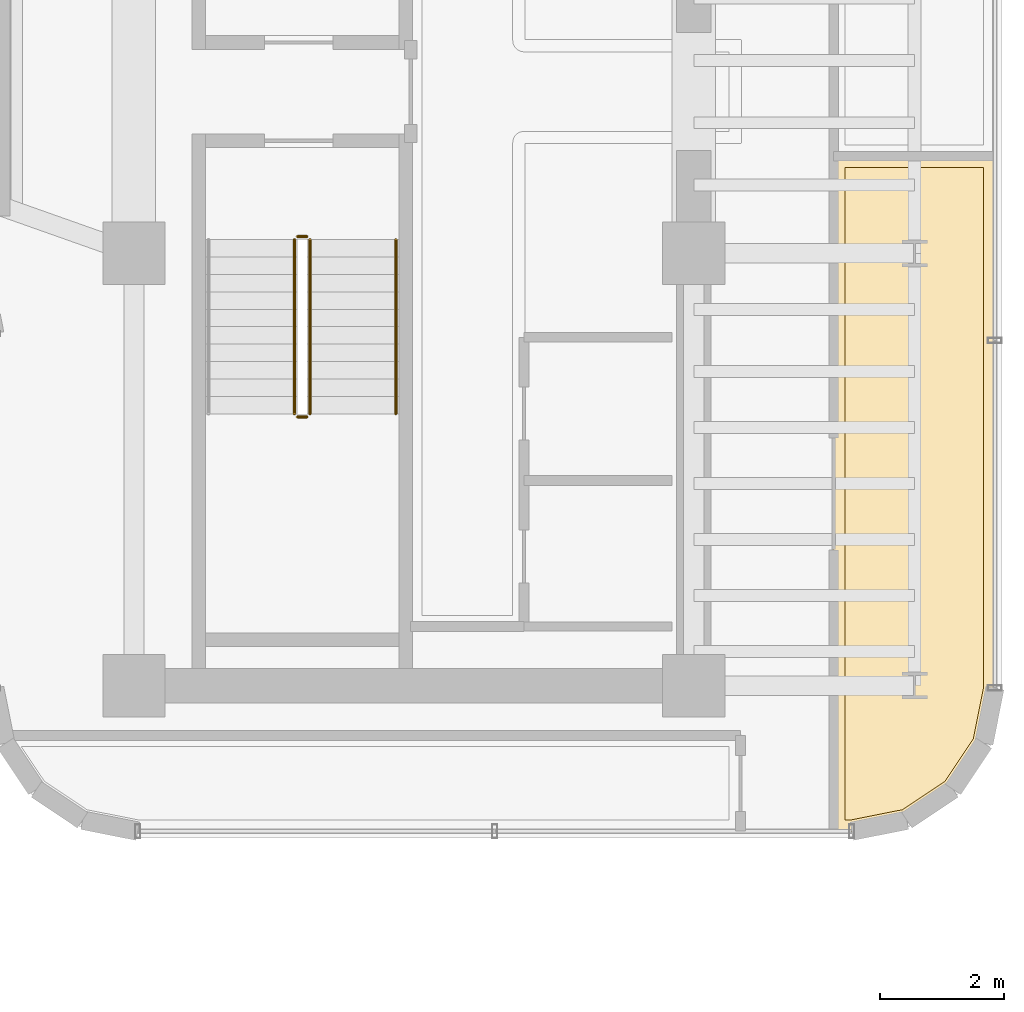
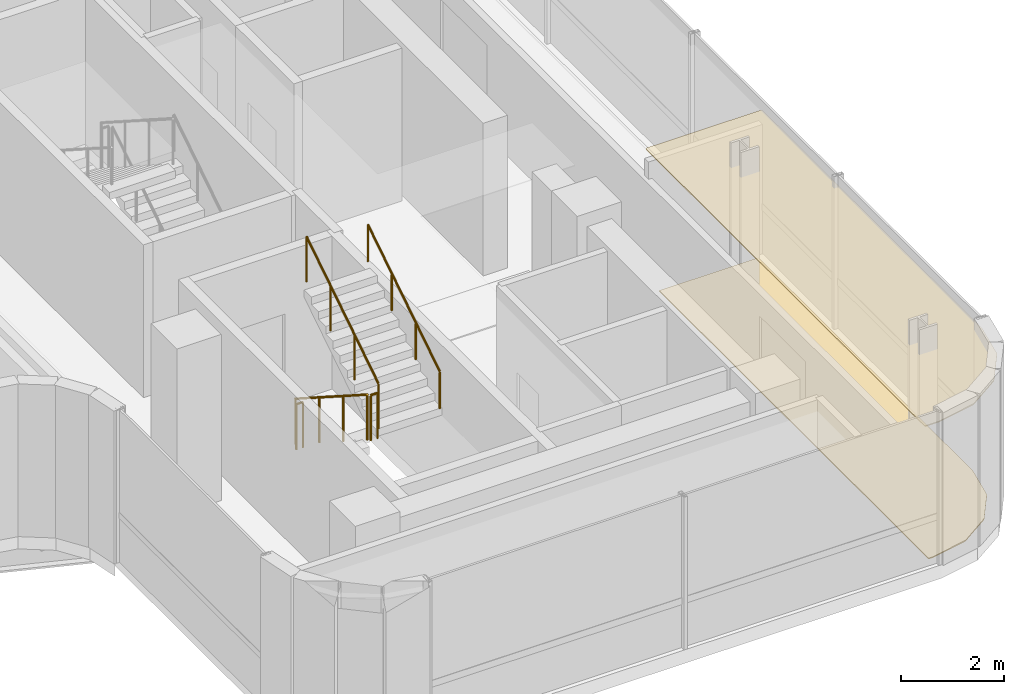
# One storey, part 36 of 39: 5 railings, 2 coverings.
"""IFC4 building model written with IfcOpenShell, lengths in metres."""

from ifc_helpers import new_model, si_unit, direction, frame, origin, origin_2d, place, context, subcontext, project, spatial, polyline, circle, outline, extrude, material, layer, layer_set, type_object, element, save


model = new_model("IFC4")

# Units and contexts
model_context = context("Model", 3, precision=1e-05, world=origin(), true_north=direction((0.0, 1.0)))
body_context = subcontext(model_context, "Body", "Model", "MODEL_VIEW")
ifc_project = project(units=[si_unit("LENGTHUNIT", "METRE"), si_unit("AREAUNIT", "SQUARE_METRE"), si_unit("VOLUMEUNIT", "CUBIC_METRE"), si_unit("PLANEANGLEUNIT", "RADIAN"), si_unit("MASSUNIT", "GRAM", prefix="KILO")], contexts=[model_context])

# Site, building, storey
site_placement = place(None, origin())
site = spatial("IfcSite", under=ifc_project, at=site_placement, CompositionType="ELEMENT")
building_placement = place(site_placement, origin())
building = spatial("IfcBuilding", under=site, at=building_placement, Name="Valdorenza Pilgrim Sanctuary Tower", CompositionType="ELEMENT")
storey_placement = place(building_placement, frame((0.0, 0.0, 184.449951171875)))
storey = spatial("IfcBuildingStorey", under=building, at=storey_placement, Name="L47", CompositionType="ELEMENT", Elevation=184.449951171875)

# Coverings
ifc_material_1 = material(Name="Micro-perforated acoustic mineral ceiling tile", Category="gypsum")
ifc_layer_1 = layer(ifc_material_1, 0.02490234375, Name="Micro-perforated acoustic mineral ceiling tile")
ifc_layer_set_1 = layer_set([ifc_layer_1], Name="Micro-perforated acoustic mineral ceiling tile")
covering_type_1 = type_object("IfcCoveringType", Name="COV-CLG-ACU", PredefinedType="CEILING", material=ifc_layer_set_1)
covering_1_placement = place(storey_placement, frame((0.0, 0.0, 3.330078125)))
element("IfcCovering", 1, at=covering_1_placement, inside=storey, type_object=covering_type_1, Name="L47 East Reading Lounge L47-EB1 Acoustic Ceiling", PredefinedType="CEILING", context=body_context, shape_type="SweptSolid", body=[
    extrude(outline(polyline([(29.68994140625, -1.02490234375), (29.69140625, -1.025146484375), (29.69287109375, -1.025390625), (29.6943359375, -1.025634765625), (29.69580078125, -1.026123046875), (29.697021484375, -1.02685546875), (29.6982421875, -1.027587890625), (29.699462890625, -1.0283203125), (29.70068359375, -1.029296875), (29.70166015625, -1.030517578125), (29.702392578125, -1.03173828125), (29.703125, -1.032958984375), (29.703857421875, -1.0341796875), (29.704345703125, -1.03564453125), (29.70458984375, -1.037109375), (29.704833984375, -1.03857421875), (29.705078125, -1.0400390625), (29.705078125, -9.589111328125), (29.704833984375, -9.590576171875), (29.70458984375, -9.592041015625), (29.5283203125, -10.478515625), (29.528076171875, -10.479736328125), (29.527587890625, -10.481201171875), (29.52685546875, -10.482666015625), (29.526123046875, -10.48388671875), (29.0302734375, -11.22607421875), (29.029296875, -11.227294921875), (29.0283203125, -11.228515625), (29.02734375, -11.2294921875), (29.026123046875, -11.230224609375), (28.28369140625, -11.726318359375), (28.28271484375, -11.726806640625), (28.28125, -11.7275390625), (28.27978515625, -11.72802734375), (28.2783203125, -11.728515625), (27.39208984375, -11.90478515625), (27.390625, -11.90478515625), (27.38916015625, -11.905029296875), (27.10009765625, -11.905029296875), (27.098388671875, -11.90478515625), (27.09716796875, -11.90478515625), (27.095703125, -11.904296875), (27.09423828125, -11.90380859375), (27.093017578125, -11.9033203125), (27.091796875, -11.902587890625), (27.090576171875, -11.901611328125), (27.08935546875, -11.900634765625), (27.08837890625, -11.8994140625), (27.08740234375, -11.898193359375), (27.0869140625, -11.897216796875), (27.086181640625, -11.895751953125), (27.085693359375, -11.894287109375), (27.085205078125, -11.892822265625), (27.085205078125, -11.8916015625), (27.0849609375, -11.889892578125), (27.0849609375, -1.0400390625), (27.085205078125, -1.03857421875), (27.085205078125, -1.037109375), (27.085693359375, -1.03564453125), (27.086181640625, -1.0341796875), (27.0869140625, -1.032958984375), (27.08740234375, -1.03173828125), (27.08837890625, -1.030517578125), (27.08935546875, -1.029296875), (27.090576171875, -1.0283203125), (27.091796875, -1.027587890625), (27.093017578125, -1.02685546875), (27.09423828125, -1.026123046875), (27.095703125, -1.025634765625), (27.09716796875, -1.025390625), (27.098388671875, -1.025146484375), (27.10009765625, -1.02490234375), (29.68994140625, -1.02490234375)])), origin(), (0.0, 0.0, 1.0), 0.02490234375),
])
ifc_material_2 = material(Name="Honed travertine stone flooring", Category="masonry")
ifc_layer_2 = layer(ifc_material_2, 0.030029296875, Name="Honed travertine stone flooring")
ifc_layer_set_2 = layer_set([ifc_layer_2], Name="Honed travertine stone flooring")
covering_type_2 = type_object("IfcCoveringType", Name="COV-FLR-TRV", PredefinedType="FLOORING", material=ifc_layer_set_2)
covering_2_placement = place(storey_placement, origin())
element("IfcCovering", 2, at=covering_2_placement, inside=storey, type_object=covering_type_2, Name="L47 East Reading Lounge L47-EB1 Flooring", PredefinedType="FLOORING", context=body_context, shape_type="SweptSolid", body=[
    extrude(outline(polyline([(29.510009765625, -1.219970703125), (29.510009765625, -9.5712890625), (29.343994140625, -10.4052734375), (28.887939453125, -11.087890625), (28.205322265625, -11.544189453125), (27.371337890625, -11.7099609375), (27.280029296875, -11.7099609375), (27.280029296875, -1.219970703125), (29.510009765625, -1.219970703125)])), origin(), (0.0, 0.0, 1.0), 0.025146484375),
])

# Railings
ifc_material_3 = material(Name="Stainless steel Grade 316", Category="steel")
railing_type_1 = type_object("IfcRailingType", Name="RLG-GRD-1120", PredefinedType="GUARDRAIL", material=ifc_material_3)
railing_1_placement = place(storey_placement, frame((18.429931640625, -2.3798828125, 0.1796875)))
element("IfcRailing", 3, at=railing_1_placement, inside=storey, type_object=railing_type_1, Name="L47 ST-B2 stair guard 1", PredefinedType="GUARDRAIL", context=body_context, shape_type="SweptSolid", body=[
    extrude(circle(Radius=0.02392578125, at=origin_2d()), frame((0.0, 0.0, 1.076171875), z_axis=(0.0, -0.841809871826, 0.539774156196), x_axis=(1.0, 0.0, 0.0)), (0.0, 0.0, 1.0), 3.326171875),
    extrude(circle(Radius=0.02099609375, at=origin_2d()), origin(), (0.0, 0.0, 1.0), 1.052001953125),
    extrude(circle(Radius=0.02099609375, at=origin_2d()), frame((0.0, -0.933349609375, 0.598388671875)), (0.0, 0.0, 1.0), 1.052001953125),
    extrude(circle(Radius=0.02099609375, at=origin_2d()), frame((0.0, -1.86669921875, 1.197021484375)), (0.0, 0.0, 1.0), 1.052001953125),
    extrude(circle(Radius=0.02099609375, at=origin_2d()), frame((0.0, -2.800048828125, 1.79541015625)), (0.0, 0.0, 1.0), 1.052001953125),
])
railing_2_placement = place(storey_placement, frame((18.47998046875, -5.22998046875, 1.97509765625)))
element("IfcRailing", 4, at=railing_2_placement, inside=storey, type_object=railing_type_1, Name="L47 ST-B2 stair guard 2", PredefinedType="GUARDRAIL", context=body_context, shape_type="SweptSolid", body=[
    extrude(circle(Radius=0.02392578125, at=origin_2d()), frame((0.0, 0.0, 1.076171875), z_axis=(1.0, 0.0, 0.0), x_axis=(0.0, 1.0, 0.0)), (0.0, 0.0, 1.0), 0.14990234375),
    extrude(circle(Radius=0.02099609375, at=origin_2d()), origin(), (0.0, 0.0, 1.0), 1.052001953125),
    extrude(circle(Radius=0.02099609375, at=origin_2d()), frame((0.14990234375, 0.0, 0.0)), (0.0, 0.0, 1.0), 1.052001953125),
])
railing_3_placement = place(storey_placement, frame((18.679931640625, -5.179931640625, 2.154541015625)))
element("IfcRailing", 5, at=railing_3_placement, inside=storey, type_object=railing_type_1, Name="L47 ST-B2 stair guard 3", PredefinedType="GUARDRAIL", context=body_context, shape_type="SweptSolid", body=[
    extrude(circle(Radius=0.02392578125, at=origin_2d()), frame((0.0, 0.0, 1.076171875), z_axis=(0.0, 0.841809871826, 0.539774156196), x_axis=(-1.0, 0.0, 0.0)), (0.0, 0.0, 1.0), 3.326171875),
    extrude(circle(Radius=0.02099609375, at=origin_2d()), origin(), (0.0, 0.0, 1.0), 1.052001953125),
    extrude(circle(Radius=0.02099609375, at=origin_2d()), frame((0.0, 0.933349609375, 0.598388671875)), (0.0, 0.0, 1.0), 1.052001953125),
    extrude(circle(Radius=0.02099609375, at=origin_2d()), frame((0.0, 1.86669921875, 1.197021484375)), (0.0, 0.0, 1.0), 1.052001953125),
    extrude(circle(Radius=0.02099609375, at=origin_2d()), frame((0.0, 2.800048828125, 1.79541015625)), (0.0, 0.0, 1.0), 1.052001953125),
])
railing_4_placement = place(storey_placement, frame((18.47998046875, -2.330078125, 0.0)))
element("IfcRailing", 6, at=railing_4_placement, inside=storey, type_object=railing_type_1, Name="L47 ST-B2 stair guard 4", PredefinedType="GUARDRAIL", context=body_context, shape_type="SweptSolid", body=[
    extrude(circle(Radius=0.02392578125, at=origin_2d()), frame((0.0, 0.0, 1.076171875), z_axis=(1.0, 0.0, 0.0), x_axis=(0.0, 1.0, 0.0)), (0.0, 0.0, 1.0), 0.14990234375),
    extrude(circle(Radius=0.02099609375, at=origin_2d()), origin(), (0.0, 0.0, 1.0), 1.052001953125),
    extrude(circle(Radius=0.02099609375, at=origin_2d()), frame((0.14990234375, 0.0, 0.0)), (0.0, 0.0, 1.0), 1.052001953125),
])
ifc_material_4 = material(Name="Brushed stainless steel Grade 316", Category="steel")
railing_type_2 = type_object("IfcRailingType", Name="RLG-HND-920", PredefinedType="HANDRAIL", material=ifc_material_4)
railing_5_placement = place(storey_placement, frame((20.06005859375, -5.179931640625, 2.154541015625)))
element("IfcRailing", 7, at=railing_5_placement, inside=storey, type_object=railing_type_2, Name="L47 ST-B2 stair handrail 2", PredefinedType="HANDRAIL", context=body_context, shape_type="SweptSolid", body=[
    extrude(circle(Radius=0.02392578125, at=origin_2d()), frame((0.0, 0.0, 0.8759765625), z_axis=(0.0, 0.841809871826, 0.539774156196), x_axis=(-1.0, 0.0, 0.0)), (0.0, 0.0, 1.0), 3.326171875),
    extrude(circle(Radius=0.02099609375, at=origin_2d()), origin(), (0.0, 0.0, 1.0), 0.851806640625),
    extrude(circle(Radius=0.02099609375, at=origin_2d()), frame((0.0, 0.933349609375, 0.598388671875)), (0.0, 0.0, 1.0), 0.851806640625),
    extrude(circle(Radius=0.02099609375, at=origin_2d()), frame((0.0, 1.86669921875, 1.197021484375)), (0.0, 0.0, 1.0), 0.851806640625),
    extrude(circle(Radius=0.02099609375, at=origin_2d()), frame((0.0, 2.800048828125, 1.79541015625)), (0.0, 0.0, 1.0), 0.851806640625),
])

save(model, "model.ifc")
